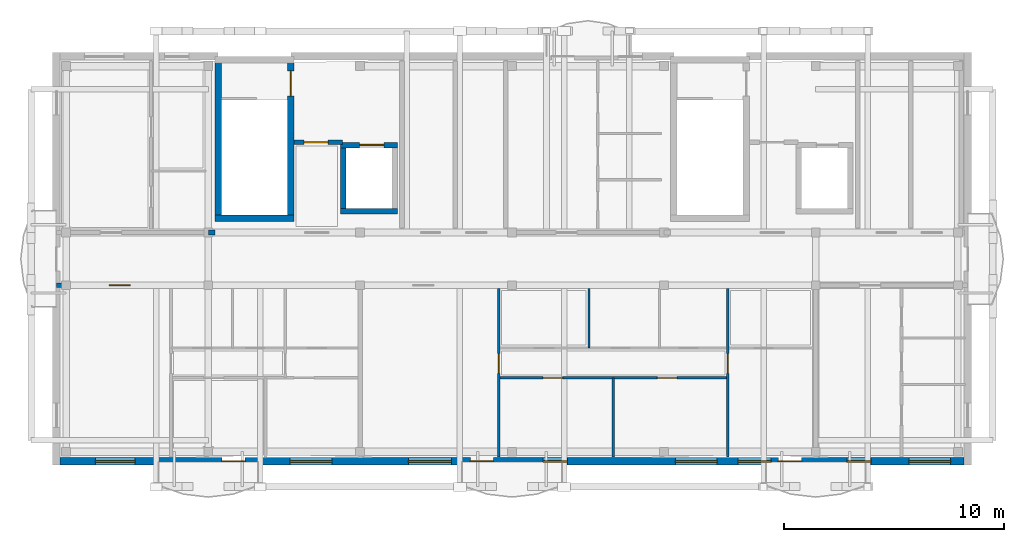
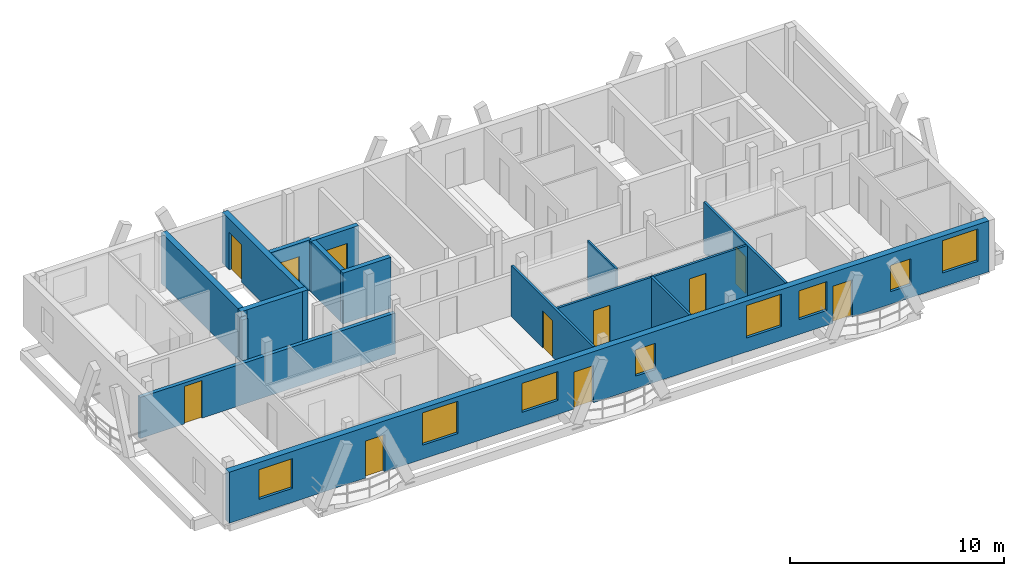
# One storey, part 3 of 7: 15 walls, 11 doors, 8 windows, 19 openings.
"""IFC4 building model written with IfcOpenShell, lengths in metres."""

from ifc_helpers import new_model, si_unit, direction, frame, frame_2d, origin, origin_with_axes, place, context, subcontext, project, spatial, rectangle, extrude, material, layer, layer_set, type_object, element, fill, save


model = new_model("IFC4")

# Units and contexts
model_context = context("Model", 3, precision=1e-05, world=origin(), true_north=direction((0.0, 1.0)))
body_context = subcontext(model_context, "Body", "Model", "MODEL_VIEW")
ifc_project = project(units=[si_unit("LENGTHUNIT", "METRE"), si_unit("AREAUNIT", "SQUARE_METRE"), si_unit("VOLUMEUNIT", "CUBIC_METRE"), si_unit("PLANEANGLEUNIT", "RADIAN"), si_unit("MASSUNIT", "GRAM", prefix="KILO")], contexts=[model_context])

# Site, building, storey
site_placement = place(None, origin())
site = spatial("IfcSite", under=ifc_project, at=site_placement, CompositionType="ELEMENT")
building_placement = place(site_placement, origin())
building = spatial("IfcBuilding", under=site, at=building_placement, Name="Zavelmont Quarter", CompositionType="ELEMENT")
storey_placement = place(building_placement, frame((0.0, 0.0, 46.39990234375)))
storey = spatial("IfcBuildingStorey", under=building, at=storey_placement, Name="L14", CompositionType="ELEMENT", Elevation=46.39990234375)

# Wall, openings, doors, windows
ifc_material_1 = material(Name="Natural Belgian limestone", Category="masonry")
ifc_layer_1 = layer(ifc_material_1, 0.340087890625)
ifc_layer_set_1 = layer_set([ifc_layer_1], Name="Natural Belgian limestone")
wall_type_1 = type_object("IfcWallType", Name="EW03", PredefinedType="STANDARD", material=ifc_layer_set_1)
wall_1_placement = place(storey_placement, frame((0.159912109375, 0.0, 0.0), z_axis=(0.0, 0.0, 1.0), x_axis=(1.0, 0.0, 0.0)))
wall_1 = element("IfcWall", 1, at=wall_1_placement, inside=storey, type_object=wall_type_1, Name="L14 exterior limestone wall EW03", PredefinedType="STANDARD", context=body_context, shape_type="SweptSolid", body=[
    extrude(rectangle(XDim=41.080078125, YDim=0.340087890625, at=frame_2d((20.5400390625, 0.0))), origin(), (0.0, 0.0, 1.0), 2.91015625),
])
opening_1_placement = place(wall_1_placement, frame((7.360107421875, 0.0, 0.0)))
opening_1 = element("IfcOpeningElement", 2, at=opening_1_placement, cuts=wall_1, Name="Opening DR04A", PredefinedType="OPENING", context=body_context, shape_type="SweptSolid", body=[
    extrude(rectangle(XDim=1.050048828125, YDim=2.1201171875, at=frame_2d((0.52490234375, 1.06005859375))), frame((0.0, 0.18212890625, 0.0), z_axis=(0.0, -1.0, 0.0), x_axis=(1.0, 0.0, 0.0)), (0.0, 0.0, 1.0), 0.364013671875),
])
opening_2_placement = place(wall_1_placement, frame((18.64697265625, 0.0, 0.0)))
opening_2 = element("IfcOpeningElement", 3, at=opening_2_placement, cuts=wall_1, Name="Opening DR04A", PredefinedType="OPENING", context=body_context, shape_type="SweptSolid", body=[
    extrude(rectangle(XDim=1.050048828125, YDim=2.1201171875, at=frame_2d((0.52490234375, 1.06005859375))), frame((0.0, 0.18212890625, 0.0), z_axis=(0.0, -1.0, 0.0), x_axis=(1.0, 0.0, 0.0)), (0.0, 0.0, 1.0), 0.364013671875),
])
opening_3_placement = place(wall_1_placement, frame((32.64697265625, 0.0, 0.0)))
opening_3 = element("IfcOpeningElement", 4, at=opening_3_placement, cuts=wall_1, Name="Opening DR04A", PredefinedType="OPENING", context=body_context, shape_type="SweptSolid", body=[
    extrude(rectangle(XDim=1.050048828125, YDim=2.1201171875, at=frame_2d((0.52490234375, 1.06005859375))), frame((0.0, 0.18212890625, 0.0), z_axis=(0.0, -1.0, 0.0), x_axis=(1.0, 0.0, 0.0)), (0.0, 0.0, 1.0), 0.364013671875),
])
opening_4_placement = place(wall_1_placement, frame((1.610107421875, 0.0, 0.800048828125)))
opening_4 = element("IfcOpeningElement", 5, at=opening_4_placement, cuts=wall_1, Name="Opening WN02", PredefinedType="OPENING", context=body_context, shape_type="SweptSolid", body=[
    extrude(rectangle(XDim=1.800048828125, YDim=1.699951171875, at=frame_2d((0.89990234375, 0.85009765625))), frame((0.0, 0.18212890625, 0.0), z_axis=(0.0, -1.0, 0.0), x_axis=(1.0, 0.0, 0.0)), (0.0, 0.0, 1.0), 0.364013671875),
])
opening_5_placement = place(wall_1_placement, frame((10.4599609375, 0.0, 0.800048828125)))
opening_5 = element("IfcOpeningElement", 6, at=opening_5_placement, cuts=wall_1, Name="Opening WN20", PredefinedType="OPENING", context=body_context, shape_type="SweptSolid", body=[
    extrude(rectangle(XDim=1.89990234375, YDim=1.85009765625, at=frame_2d((0.949951171875, 0.925048828125))), frame((0.0, 0.18212890625, 0.0), z_axis=(0.0, -1.0, 0.0), x_axis=(1.0, 0.0, 0.0)), (0.0, 0.0, 1.0), 0.364013671875),
])
opening_6_placement = place(wall_1_placement, frame((15.8349609375, 0.0, 0.800048828125)))
opening_6 = element("IfcOpeningElement", 7, at=opening_6_placement, cuts=wall_1, Name="Opening WN24", PredefinedType="OPENING", context=body_context, shape_type="SweptSolid", body=[
    extrude(rectangle(XDim=1.949951171875, YDim=1.64990234375, at=frame_2d((0.97509765625, 0.824951171875))), frame((0.0, 0.18212890625, 0.0), z_axis=(0.0, -1.0, 0.0), x_axis=(1.0, 0.0, 0.0)), (0.0, 0.0, 1.0), 0.364013671875),
])
opening_7_placement = place(wall_1_placement, frame((21.9599609375, 0.0, 0.719970703125)))
opening_7 = element("IfcOpeningElement", 8, at=opening_7_placement, cuts=wall_1, Name="Opening WN09", PredefinedType="OPENING", context=body_context, shape_type="SweptSolid", body=[
    extrude(rectangle(XDim=1.10009765625, YDim=1.5, at=frame_2d((0.550048828125, 0.75))), frame((0.0, 0.18212890625, 0.0), z_axis=(0.0, -1.0, 0.0), x_axis=(1.0, 0.0, 0.0)), (0.0, 0.0, 1.0), 0.364013671875),
])
opening_8_placement = place(wall_1_placement, frame((27.9599609375, 0.0, 0.800048828125)))
opening_8 = element("IfcOpeningElement", 9, at=opening_8_placement, cuts=wall_1, Name="Opening WN20", PredefinedType="OPENING", context=body_context, shape_type="SweptSolid", body=[
    extrude(rectangle(XDim=1.89990234375, YDim=1.85009765625, at=frame_2d((0.949951171875, 0.925048828125))), frame((0.0, 0.18212890625, 0.0), z_axis=(0.0, -1.0, 0.0), x_axis=(1.0, 0.0, 0.0)), (0.0, 0.0, 1.0), 0.364013671875),
])
opening_9_placement = place(wall_1_placement, frame((30.81005859375, 0.0, 0.85009765625)))
opening_9 = element("IfcOpeningElement", 10, at=opening_9_placement, cuts=wall_1, Name="Opening WN01", PredefinedType="OPENING", context=body_context, shape_type="SweptSolid", body=[
    extrude(rectangle(XDim=1.5, YDim=1.64990234375, at=frame_2d((0.75, 0.824951171875))), frame((0.0, 0.18212890625, 0.0), z_axis=(0.0, -1.0, 0.0), x_axis=(1.0, 0.0, 0.0)), (0.0, 0.0, 1.0), 0.364013671875),
])
opening_10_placement = place(wall_1_placement, frame((35.760009765625, 0.0, 0.719970703125)))
opening_10 = element("IfcOpeningElement", 11, at=opening_10_placement, cuts=wall_1, Name="Opening WN09", PredefinedType="OPENING", context=body_context, shape_type="SweptSolid", body=[
    extrude(rectangle(XDim=1.10009765625, YDim=1.5, at=frame_2d((0.550048828125, 0.75))), frame((0.0, 0.18212890625, 0.0), z_axis=(0.0, -1.0, 0.0), x_axis=(1.0, 0.0, 0.0)), (0.0, 0.0, 1.0), 0.364013671875),
])
opening_11_placement = place(wall_1_placement, frame((38.574951171875, 0.0, 0.800048828125)))
opening_11 = element("IfcOpeningElement", 12, at=opening_11_placement, cuts=wall_1, Name="Opening WN20", PredefinedType="OPENING", context=body_context, shape_type="SweptSolid", body=[
    extrude(rectangle(XDim=1.89990234375, YDim=1.85009765625, at=frame_2d((0.949951171875, 0.925048828125))), frame((0.0, 0.18212890625, 0.0), z_axis=(0.0, -1.0, 0.0), x_axis=(1.0, 0.0, 0.0)), (0.0, 0.0, 1.0), 0.364013671875),
])
ifc_material_2 = material(Name="Thermally broken aluminium and double safety glass", Category="aluminium")
door_type_1 = type_object("IfcDoorType", Name="DR04A", OperationType="NOTDEFINED", PredefinedType="DOOR", material=ifc_material_2)
door_1_placement = place(opening_1_placement, origin_with_axes())
door_1 = element("IfcDoor", 13, at=door_1_placement, inside=storey, type_object=door_type_1, Name="Block A L14 glazed balcony door", OperationType="SINGLE_SWING_LEFT", OverallHeight=2.1201171875, OverallWidth=1.050048828125, PredefinedType="DOOR", context=body_context, shape_type="SweptSolid", body=[
    extrude(rectangle(XDim=1.050048828125, YDim=2.1201171875, at=frame_2d((0.52490234375, 1.06005859375))), frame((0.0, 0.02490234375, 0.0), z_axis=(0.0, -1.0, 0.0), x_axis=(1.0, 0.0, 0.0)), (0.0, 0.0, 1.0), 0.050048828125),
])
fill(opening_1, door_1)
door_2_placement = place(opening_2_placement, origin_with_axes())
door_2 = element("IfcDoor", 14, at=door_2_placement, inside=storey, type_object=door_type_1, Name="Block A L14 glazed balcony door", OperationType="SINGLE_SWING_RIGHT", OverallHeight=2.1201171875, OverallWidth=1.050048828125, PredefinedType="DOOR", context=body_context, shape_type="SweptSolid", body=[
    extrude(rectangle(XDim=1.050048828125, YDim=2.1201171875, at=frame_2d((0.52490234375, 1.06005859375))), frame((0.0, 0.02490234375, 0.0), z_axis=(0.0, -1.0, 0.0), x_axis=(1.0, 0.0, 0.0)), (0.0, 0.0, 1.0), 0.050048828125),
])
fill(opening_2, door_2)
door_3_placement = place(opening_3_placement, origin_with_axes())
door_3 = element("IfcDoor", 15, at=door_3_placement, inside=storey, type_object=door_type_1, Name="Block A L14 glazed balcony door", OperationType="SINGLE_SWING_RIGHT", OverallHeight=2.1201171875, OverallWidth=1.050048828125, PredefinedType="DOOR", context=body_context, shape_type="SweptSolid", body=[
    extrude(rectangle(XDim=1.050048828125, YDim=2.1201171875, at=frame_2d((0.52490234375, 1.06005859375))), frame((0.0, 0.02490234375, 0.0), z_axis=(0.0, -1.0, 0.0), x_axis=(1.0, 0.0, 0.0)), (0.0, 0.0, 1.0), 0.050048828125),
])
fill(opening_3, door_3)
ifc_material_3 = material(Name="Double low-E insulated glazing in thermally broken aluminium frame", Category="aluminium")
window_type_1 = type_object("IfcWindowType", Name="WN01", PartitioningType="SINGLE_PANEL", PredefinedType="WINDOW", material=ifc_material_3)
window_1_placement = place(opening_9_placement, origin_with_axes())
window_1 = element("IfcWindow", 16, at=window_1_placement, inside=storey, type_object=window_type_1, Name="L14 window WN01", OverallHeight=1.64990234375, OverallWidth=1.5, PartitioningType="SINGLE_PANEL", PredefinedType="WINDOW", context=body_context, shape_type="SweptSolid", body=[
    extrude(rectangle(XDim=1.5, YDim=1.64990234375, at=frame_2d((0.75, 0.824951171875))), frame((0.0, 0.030029296875, 0.0), z_axis=(0.0, -1.0, 0.0), x_axis=(1.0, 0.0, 0.0)), (0.0, 0.0, 1.0), 0.06005859375),
])
fill(opening_9, window_1)
window_type_2 = type_object("IfcWindowType", Name="WN02", PartitioningType="SINGLE_PANEL", PredefinedType="WINDOW", material=ifc_material_3)
window_2_placement = place(opening_4_placement, origin_with_axes())
window_2 = element("IfcWindow", 17, at=window_2_placement, inside=storey, type_object=window_type_2, Name="L14 window WN02", OverallHeight=1.699951171875, OverallWidth=1.800048828125, PartitioningType="SINGLE_PANEL", PredefinedType="WINDOW", context=body_context, shape_type="SweptSolid", body=[
    extrude(rectangle(XDim=1.800048828125, YDim=1.699951171875, at=frame_2d((0.89990234375, 0.85009765625))), frame((0.0, 0.030029296875, 0.0), z_axis=(0.0, -1.0, 0.0), x_axis=(1.0, 0.0, 0.0)), (0.0, 0.0, 1.0), 0.06005859375),
])
fill(opening_4, window_2)
window_type_3 = type_object("IfcWindowType", Name="WN09", PartitioningType="SINGLE_PANEL", PredefinedType="WINDOW", material=ifc_material_3)
window_3_placement = place(opening_7_placement, origin_with_axes())
window_3 = element("IfcWindow", 18, at=window_3_placement, inside=storey, type_object=window_type_3, Name="L14 window WN09", OverallHeight=1.5, OverallWidth=1.10009765625, PartitioningType="SINGLE_PANEL", PredefinedType="WINDOW", context=body_context, shape_type="SweptSolid", body=[
    extrude(rectangle(XDim=1.10009765625, YDim=1.5, at=frame_2d((0.550048828125, 0.75))), frame((0.0, 0.030029296875, 0.0), z_axis=(0.0, -1.0, 0.0), x_axis=(1.0, 0.0, 0.0)), (0.0, 0.0, 1.0), 0.06005859375),
])
fill(opening_7, window_3)
window_4_placement = place(opening_10_placement, origin_with_axes())
window_4 = element("IfcWindow", 19, at=window_4_placement, inside=storey, type_object=window_type_3, Name="L14 window WN09", OverallHeight=1.5, OverallWidth=1.10009765625, PartitioningType="SINGLE_PANEL", PredefinedType="WINDOW", context=body_context, shape_type="SweptSolid", body=[
    extrude(rectangle(XDim=1.10009765625, YDim=1.5, at=frame_2d((0.550048828125, 0.75))), frame((0.0, 0.030029296875, 0.0), z_axis=(0.0, -1.0, 0.0), x_axis=(1.0, 0.0, 0.0)), (0.0, 0.0, 1.0), 0.06005859375),
])
fill(opening_10, window_4)
window_type_4 = type_object("IfcWindowType", Name="WN20", PartitioningType="SINGLE_PANEL", PredefinedType="WINDOW", material=ifc_material_3)
window_5_placement = place(opening_5_placement, origin_with_axes())
window_5 = element("IfcWindow", 20, at=window_5_placement, inside=storey, type_object=window_type_4, Name="L14 window WN20", OverallHeight=1.85009765625, OverallWidth=1.89990234375, PartitioningType="SINGLE_PANEL", PredefinedType="WINDOW", context=body_context, shape_type="SweptSolid", body=[
    extrude(rectangle(XDim=1.89990234375, YDim=1.85009765625, at=frame_2d((0.949951171875, 0.925048828125))), frame((0.0, 0.030029296875, 0.0), z_axis=(0.0, -1.0, 0.0), x_axis=(1.0, 0.0, 0.0)), (0.0, 0.0, 1.0), 0.06005859375),
])
fill(opening_5, window_5)
window_6_placement = place(opening_8_placement, origin_with_axes())
window_6 = element("IfcWindow", 21, at=window_6_placement, inside=storey, type_object=window_type_4, Name="L14 window WN20", OverallHeight=1.85009765625, OverallWidth=1.89990234375, PartitioningType="SINGLE_PANEL", PredefinedType="WINDOW", context=body_context, shape_type="SweptSolid", body=[
    extrude(rectangle(XDim=1.89990234375, YDim=1.85009765625, at=frame_2d((0.949951171875, 0.925048828125))), frame((0.0, 0.030029296875, 0.0), z_axis=(0.0, -1.0, 0.0), x_axis=(1.0, 0.0, 0.0)), (0.0, 0.0, 1.0), 0.06005859375),
])
fill(opening_8, window_6)
window_7_placement = place(opening_11_placement, origin_with_axes())
window_7 = element("IfcWindow", 22, at=window_7_placement, inside=storey, type_object=window_type_4, Name="L14 window WN20", OverallHeight=1.85009765625, OverallWidth=1.89990234375, PartitioningType="SINGLE_PANEL", PredefinedType="WINDOW", context=body_context, shape_type="SweptSolid", body=[
    extrude(rectangle(XDim=1.89990234375, YDim=1.85009765625, at=frame_2d((0.949951171875, 0.925048828125))), frame((0.0, 0.030029296875, 0.0), z_axis=(0.0, -1.0, 0.0), x_axis=(1.0, 0.0, 0.0)), (0.0, 0.0, 1.0), 0.06005859375),
])
fill(opening_11, window_7)
window_type_5 = type_object("IfcWindowType", Name="WN24", PartitioningType="SINGLE_PANEL", PredefinedType="WINDOW", material=ifc_material_3)
window_8_placement = place(opening_6_placement, origin_with_axes())
window_8 = element("IfcWindow", 23, at=window_8_placement, inside=storey, type_object=window_type_5, Name="L14 window WN24", OverallHeight=1.64990234375, OverallWidth=1.949951171875, PartitioningType="SINGLE_PANEL", PredefinedType="WINDOW", context=body_context, shape_type="SweptSolid", body=[
    extrude(rectangle(XDim=1.949951171875, YDim=1.64990234375, at=frame_2d((0.97509765625, 0.824951171875))), frame((0.0, 0.030029296875, 0.0), z_axis=(0.0, -1.0, 0.0), x_axis=(1.0, 0.0, 0.0)), (0.0, 0.0, 1.0), 0.06005859375),
])
fill(opening_6, window_8)

# Wall, opening, door
ifc_material_4 = material(Name="Calcium-silicate blockwork and acoustic plaster", Category="masonry")
ifc_layer_2 = layer(ifc_material_4, 0.199951171875)
ifc_layer_set_2 = layer_set([ifc_layer_2], Name="Calcium-silicate blockwork and acoustic plaster")
wall_type_2 = type_object("IfcWallType", Name="IW01", PredefinedType="PARTITIONING", material=ifc_layer_set_2)
wall_2_placement = place(storey_placement, frame((0.0, 8.0, 0.0), z_axis=(0.0, 0.0, 1.0), x_axis=(1.0, 0.0, 0.0)))
wall_2 = element("IfcWall", 24, at=wall_2_placement, inside=storey, type_object=wall_type_2, Name="L14 Corridor compartment wall IW01", PredefinedType="PARTITIONING", context=body_context, shape_type="SweptSolid", body=[
    extrude(rectangle(XDim=13.800048828125, YDim=0.199951171875, at=frame_2d((6.89990234375, 0.0))), origin(), (0.0, 0.0, 1.0), 2.35009765625),
])
opening_12_placement = place(wall_2_placement, frame((2.39990234375, 0.0, 0.0)))
opening_12 = element("IfcOpeningElement", 25, at=opening_12_placement, cuts=wall_2, Name="Opening DR02", PredefinedType="OPENING", context=body_context, shape_type="SweptSolid", body=[
    extrude(rectangle(XDim=0.949951171875, YDim=2.14990234375, at=frame_2d((0.47509765625, 1.074951171875))), frame((0.0, 0.11181640625, 0.0), z_axis=(0.0, -1.0, 0.0), x_axis=(1.0, 0.0, 0.0)), (0.0, 0.0, 1.0), 0.223876953125),
])
ifc_material_5 = material(Name="Solid-core oak fire leaf in steel frame", Category="steel")
door_type_2 = type_object("IfcDoorType", Name="DR02", OperationType="NOTDEFINED", PredefinedType="DOOR", material=ifc_material_5)
door_4_placement = place(opening_12_placement, frame((0.949951171875, 0.0, 0.0), z_axis=(0.0, 0.0, 1.0), x_axis=(-1.0, 0.0, 0.0)))
door_4 = element("IfcDoor", 26, at=door_4_placement, inside=storey, type_object=door_type_2, Name="L14 door DR02", OperationType="SINGLE_SWING_LEFT", OverallHeight=2.14990234375, OverallWidth=0.949951171875, PredefinedType="DOOR", context=body_context, shape_type="SweptSolid", body=[
    extrude(rectangle(XDim=0.949951171875, YDim=2.14990234375, at=frame_2d((0.47509765625, 1.074951171875))), frame((0.0, 0.02490234375, 0.0), z_axis=(0.0, -1.0, 0.0), x_axis=(1.0, 0.0, 0.0)), (0.0, 0.0, 1.0), 0.050048828125),
])
fill(opening_12, door_4)

ifc_material_6 = material(Name="Reinforced masonry fire compartment wall", Category="masonry")
ifc_layer_3 = layer(ifc_material_6, 0.22509765625)
ifc_layer_set_3 = layer_set([ifc_layer_3], Name="Reinforced masonry fire compartment wall")
wall_type_3 = type_object("IfcWallType", Name="IW02", PredefinedType="PARTITIONING", material=ifc_layer_set_3)
wall_3_placement = place(storey_placement, frame((10.800048828125, 14.5, 0.0), z_axis=(0.0, 0.0, 1.0), x_axis=(1.0, 0.0, 0.0)))
wall_3 = element("IfcWall", 27, at=wall_3_placement, inside=storey, type_object=wall_type_3, Name="L14 Firefighting lobby threshold wall IW02", PredefinedType="PARTITIONING", context=body_context, shape_type="SweptSolid", body=[
    extrude(rectangle(XDim=2.199951171875, YDim=0.22509765625, at=frame_2d((1.10009765625, 0.0))), origin(), (0.0, 0.0, 1.0), 2.91015625),
])
opening_13_placement = place(wall_3_placement, frame((0.449951171875, 0.0, 0.0)))
opening_13 = element("IfcOpeningElement", 28, at=opening_13_placement, cuts=wall_3, Name="Opening DR10", PredefinedType="OPENING", context=body_context, shape_type="SweptSolid", body=[
    extrude(rectangle(XDim=1.10009765625, YDim=2.14990234375, at=frame_2d((0.550048828125, 1.074951171875))), frame((0.0, 0.12451171875, 0.0), z_axis=(0.0, -1.0, 0.0), x_axis=(1.0, 0.0, 0.0)), (0.0, 0.0, 1.0), 0.2490234375),
])
ifc_material_7 = material(Name="Painted steel lobby fire door", Category="steel")
door_type_3 = type_object("IfcDoorType", Name="DR10", OperationType="NOTDEFINED", PredefinedType="DOOR", material=ifc_material_7)
door_5_placement = place(opening_13_placement, origin_with_axes())
door_5 = element("IfcDoor", 29, at=door_5_placement, inside=storey, type_object=door_type_3, Name="Firefighting lobby fire door", OperationType="SINGLE_SWING_RIGHT", OverallHeight=2.14990234375, OverallWidth=1.10009765625, PredefinedType="DOOR", context=body_context, shape_type="SweptSolid", body=[
    extrude(rectangle(XDim=1.10009765625, YDim=2.14990234375, at=frame_2d((0.550048828125, 1.074951171875))), frame((0.0, 0.02490234375, 0.0), z_axis=(0.0, -1.0, 0.0), x_axis=(1.0, 0.0, 0.0)), (0.0, 0.0, 1.0), 0.050048828125),
])
fill(opening_13, door_5)

# Wall
wall_4_placement = place(storey_placement, frame((6.89990234375, 10.39990234375, 0.0), z_axis=(0.0, 0.0, 1.0), x_axis=(1.0, 0.0, 0.0)))
element("IfcWall", 30, at=wall_4_placement, inside=storey, type_object=wall_type_3, Name="L14 Core corridor wall IW02", PredefinedType="PARTITIONING", context=body_context, shape_type="SweptSolid", body=[
    extrude(rectangle(XDim=0.300048828125, YDim=0.22509765625, at=frame_2d((0.14990234375, 0.0))), origin(), (0.0, 0.0, 1.0), 2.91015625),
])

# Wall, opening, door
ifc_material_8 = material(Name="Double gypsum board on acoustic steel stud", Category="steel")
ifc_layer_4 = layer(ifc_material_8, 0.125)
ifc_layer_set_4 = layer_set([ifc_layer_4], Name="Double gypsum board on acoustic steel stud")
wall_type_4 = type_object("IfcWallType", Name="IW03", PredefinedType="PARTITIONING", material=ifc_layer_set_4)
wall_5_placement = place(storey_placement, frame((20.10009765625, 7.85009765625, 0.0), z_axis=(0.0, 0.0, 1.0), x_axis=(0.0, -1.0, 0.0)))
wall_5 = element("IfcWall", 31, at=wall_5_placement, inside=storey, type_object=wall_type_4, Name="L14 Partition IW03", PredefinedType="PARTITIONING", context=body_context, shape_type="SweptSolid", body=[
    extrude(rectangle(XDim=7.650146484375, YDim=0.125, at=frame_2d((3.8251953125, 0.0))), origin(), (0.0, 0.0, 1.0), 2.91015625),
])
opening_14_placement = place(wall_5_placement, frame((2.949951171875, 0.0, 0.0)))
opening_14 = element("IfcOpeningElement", 32, at=opening_14_placement, cuts=wall_5, Name="Opening DR05", PredefinedType="OPENING", context=body_context, shape_type="SweptSolid", body=[
    extrude(rectangle(XDim=0.89990234375, YDim=2.10009765625, at=frame_2d((0.449951171875, 1.050048828125))), frame((0.0, 0.074462890625, 0.0), z_axis=(0.0, -1.0, 0.0), x_axis=(1.0, 0.0, 0.0)), (0.0, 0.0, 1.0), 0.14892578125),
])
ifc_material_9 = material(Name="Engineered oak flush interior door")
door_type_4 = type_object("IfcDoorType", Name="DR05", OperationType="NOTDEFINED", PredefinedType="DOOR", material=ifc_material_9)
door_6_placement = place(opening_14_placement, frame((0.89990234375, 0.0, 0.0), z_axis=(0.0, 0.0, 1.0), x_axis=(-1.0, 0.0, 0.0)))
door_6 = element("IfcDoor", 33, at=door_6_placement, inside=storey, type_object=door_type_4, Name="L14 door DR05", OperationType="SINGLE_SWING_RIGHT", OverallHeight=2.10009765625, OverallWidth=0.89990234375, PredefinedType="DOOR", context=body_context, shape_type="SweptSolid", body=[
    extrude(rectangle(XDim=0.89990234375, YDim=2.10009765625, at=frame_2d((0.449951171875, 1.050048828125))), frame((0.0, 0.02490234375, 0.0), z_axis=(0.0, -1.0, 0.0), x_axis=(1.0, 0.0, 0.0)), (0.0, 0.0, 1.0), 0.050048828125),
])
fill(opening_14, door_6)

# Wall
wall_6_placement = place(storey_placement, frame((25.300048828125, 3.800048828125, 0.0), z_axis=(0.0, 0.0, 1.0), x_axis=(0.0, -1.0, 0.0)))
element("IfcWall", 34, at=wall_6_placement, inside=storey, type_object=wall_type_4, Name="L14 Partition IW03", PredefinedType="PARTITIONING", context=body_context, shape_type="SweptSolid", body=[
    extrude(rectangle(XDim=3.60009765625, YDim=0.125, at=frame_2d((1.800048828125, 0.0))), origin(), (0.0, 0.0, 1.0), 2.91015625),
])

# Wall, opening, door
wall_7_placement = place(storey_placement, frame((30.5, 7.85009765625, 0.0), z_axis=(0.0, 0.0, 1.0), x_axis=(0.0, -1.0, 0.0)))
wall_7 = element("IfcWall", 35, at=wall_7_placement, inside=storey, type_object=wall_type_4, Name="L14 Partition IW03", PredefinedType="PARTITIONING", context=body_context, shape_type="SweptSolid", body=[
    extrude(rectangle(XDim=7.650146484375, YDim=0.125, at=frame_2d((3.8251953125, 0.0))), origin(), (0.0, 0.0, 1.0), 2.91015625),
])
opening_15_placement = place(wall_7_placement, frame((2.949951171875, 0.0, 0.0)))
opening_15 = element("IfcOpeningElement", 36, at=opening_15_placement, cuts=wall_7, Name="Opening DR05", PredefinedType="OPENING", context=body_context, shape_type="SweptSolid", body=[
    extrude(rectangle(XDim=0.89990234375, YDim=2.10009765625, at=frame_2d((0.449951171875, 1.050048828125))), frame((0.0, 0.074462890625, 0.0), z_axis=(0.0, -1.0, 0.0), x_axis=(1.0, 0.0, 0.0)), (0.0, 0.0, 1.0), 0.14892578125),
])
door_7_placement = place(opening_15_placement, origin_with_axes())
door_7 = element("IfcDoor", 37, at=door_7_placement, inside=storey, type_object=door_type_4, Name="L14 door DR05", OperationType="SINGLE_SWING_LEFT", OverallHeight=2.10009765625, OverallWidth=0.89990234375, PredefinedType="DOOR", context=body_context, shape_type="SweptSolid", body=[
    extrude(rectangle(XDim=0.89990234375, YDim=2.10009765625, at=frame_2d((0.449951171875, 1.050048828125))), frame((0.0, 0.02490234375, 0.0), z_axis=(0.0, -1.0, 0.0), x_axis=(1.0, 0.0, 0.0)), (0.0, 0.0, 1.0), 0.050048828125),
])
fill(opening_15, door_7)

# Wall, openings, doors
wall_8_placement = place(storey_placement, frame((20.10009765625, 3.800048828125, 0.0), z_axis=(0.0, 0.0, 1.0), x_axis=(1.0, 0.0, 0.0)))
wall_8 = element("IfcWall", 38, at=wall_8_placement, inside=storey, type_object=wall_type_4, Name="L14 Partition IW03", PredefinedType="PARTITIONING", context=body_context, shape_type="SweptSolid", body=[
    extrude(rectangle(XDim=10.39990234375, YDim=0.125, at=frame_2d((5.199951171875, 0.0))), origin(), (0.0, 0.0, 1.0), 2.91015625),
])
opening_16_placement = place(wall_8_placement, frame((2.0, 0.0, 0.0)))
opening_16 = element("IfcOpeningElement", 39, at=opening_16_placement, cuts=wall_8, Name="Opening DR05", PredefinedType="OPENING", context=body_context, shape_type="SweptSolid", body=[
    extrude(rectangle(XDim=0.89990234375, YDim=2.10009765625, at=frame_2d((0.449951171875, 1.050048828125))), frame((0.0, 0.074462890625, 0.0), z_axis=(0.0, -1.0, 0.0), x_axis=(1.0, 0.0, 0.0)), (0.0, 0.0, 1.0), 0.14892578125),
])
opening_17_placement = place(wall_8_placement, frame((7.199951171875, 0.0, 0.0)))
opening_17 = element("IfcOpeningElement", 40, at=opening_17_placement, cuts=wall_8, Name="Opening DR05", PredefinedType="OPENING", context=body_context, shape_type="SweptSolid", body=[
    extrude(rectangle(XDim=0.89990234375, YDim=2.10009765625, at=frame_2d((0.449951171875, 1.050048828125))), frame((0.0, 0.074462890625, 0.0), z_axis=(0.0, -1.0, 0.0), x_axis=(1.0, 0.0, 0.0)), (0.0, 0.0, 1.0), 0.14892578125),
])
door_8_placement = place(opening_16_placement, frame((0.89990234375, 0.0, 0.0), z_axis=(0.0, 0.0, 1.0), x_axis=(-1.0, 0.0, 0.0)))
door_8 = element("IfcDoor", 41, at=door_8_placement, inside=storey, type_object=door_type_4, Name="L14 door DR05", OperationType="SINGLE_SWING_RIGHT", OverallHeight=2.10009765625, OverallWidth=0.89990234375, PredefinedType="DOOR", context=body_context, shape_type="SweptSolid", body=[
    extrude(rectangle(XDim=0.89990234375, YDim=2.10009765625, at=frame_2d((0.449951171875, 1.050048828125))), frame((0.0, 0.02490234375, 0.0), z_axis=(0.0, -1.0, 0.0), x_axis=(1.0, 0.0, 0.0)), (0.0, 0.0, 1.0), 0.050048828125),
])
fill(opening_16, door_8)
door_9_placement = place(opening_17_placement, origin_with_axes())
door_9 = element("IfcDoor", 42, at=door_9_placement, inside=storey, type_object=door_type_4, Name="L14 door DR05", OperationType="SINGLE_SWING_LEFT", OverallHeight=2.10009765625, OverallWidth=0.89990234375, PredefinedType="DOOR", context=body_context, shape_type="SweptSolid", body=[
    extrude(rectangle(XDim=0.89990234375, YDim=2.10009765625, at=frame_2d((0.449951171875, 1.050048828125))), frame((0.0, 0.02490234375, 0.0), z_axis=(0.0, -1.0, 0.0), x_axis=(1.0, 0.0, 0.0)), (0.0, 0.0, 1.0), 0.050048828125),
])
fill(opening_17, door_9)

# Walls
ifc_material_10 = material(Name="Moisture-resistant gypsum board on steel stud", Category="steel")
ifc_layer_5 = layer(ifc_material_10, 0.10009765625)
ifc_layer_set_5 = layer_set([ifc_layer_5], Name="Moisture-resistant gypsum board on steel stud")
wall_type_5 = type_object("IfcWallType", Name="IW04", PredefinedType="PARTITIONING", material=ifc_layer_set_5)
wall_9_placement = place(storey_placement, frame((24.199951171875, 7.85009765625, 0.0), z_axis=(0.0, 0.0, 1.0), x_axis=(0.0, -1.0, 0.0)))
element("IfcWall", 43, at=wall_9_placement, inside=storey, type_object=wall_type_5, Name="L14 Partition IW04", PredefinedType="PARTITIONING", context=body_context, shape_type="SweptSolid", body=[
    extrude(rectangle(XDim=2.7001953125, YDim=0.10009765625, at=frame_2d((1.35009765625, 0.0))), origin(), (0.0, 0.0, 1.0), 2.91015625),
])
ifc_material_11 = material(Name="Concrete C40/50", Category="concrete")
ifc_layer_6 = layer(ifc_material_11, 0.300048828125)
ifc_layer_set_6 = layer_set([ifc_layer_6], Name="Concrete C40/50")
wall_type_6 = type_object("IfcWallType", Name="SW01", PredefinedType="SHEAR", material=ifc_layer_set_6)
wall_10_placement = place(storey_placement, frame((7.199951171875, 11.050048828125, 0.0), z_axis=(0.0, 0.0, 1.0), x_axis=(1.0, 0.0, 0.0)))
element("IfcWall", 44, at=wall_10_placement, inside=storey, type_object=wall_type_6, Name="L14 ST01 corridor shear wall SW01", PredefinedType="SHEAR", context=body_context, shape_type="SweptSolid", body=[
    extrude(rectangle(XDim=3.60009765625, YDim=0.300048828125, at=frame_2d((1.800048828125, 0.0))), origin(), (0.0, 0.0, 1.0), 2.91015625),
])
wall_11_placement = place(storey_placement, frame((7.35009765625, 10.89990234375, 0.0), z_axis=(0.0, 0.0, 1.0), x_axis=(0.0, 1.0, 0.0)))
element("IfcWall", 45, at=wall_11_placement, inside=storey, type_object=wall_type_6, Name="L14 ST01 west shear wall SW01", PredefinedType="SHEAR", context=body_context, shape_type="SweptSolid", body=[
    extrude(rectangle(XDim=7.5, YDim=0.300048828125, at=frame_2d((3.75, 0.0))), origin(), (0.0, 0.0, 1.0), 2.91015625),
])

# Wall, opening, door
wall_12_placement = place(storey_placement, frame((10.64990234375, 10.89990234375, 0.0), z_axis=(0.0, 0.0, 1.0), x_axis=(0.0, 1.0, 0.0)))
wall_12 = element("IfcWall", 46, at=wall_12_placement, inside=storey, type_object=wall_type_6, Name="L14 ST01 lobby shear wall SW01", PredefinedType="SHEAR", context=body_context, shape_type="SweptSolid", body=[
    extrude(rectangle(XDim=7.5, YDim=0.300048828125, at=frame_2d((3.75, 0.0))), origin(), (0.0, 0.0, 1.0), 2.91015625),
])
opening_18_placement = place(wall_12_placement, frame((5.699951171875, 0.0, 0.0)))
opening_18 = element("IfcOpeningElement", 47, at=opening_18_placement, cuts=wall_12, Name="Opening DR09", PredefinedType="OPENING", context=body_context, shape_type="SweptSolid", body=[
    extrude(rectangle(XDim=1.14990234375, YDim=2.14990234375, at=frame_2d((0.574951171875, 1.074951171875))), frame((0.0, 0.162109375, 0.0), z_axis=(0.0, -1.0, 0.0), x_axis=(1.0, 0.0, 0.0)), (0.0, 0.0, 1.0), 0.323974609375),
])
ifc_material_12 = material(Name="Painted steel stair-core fire door", Category="steel")
door_type_5 = type_object("IfcDoorType", Name="DR09", OperationType="NOTDEFINED", PredefinedType="DOOR", material=ifc_material_12)
door_10_placement = place(opening_18_placement, origin_with_axes())
door_10 = element("IfcDoor", 48, at=door_10_placement, inside=storey, type_object=door_type_5, Name="ST01 protected stair door", OperationType="SINGLE_SWING_LEFT", OverallHeight=2.14990234375, OverallWidth=1.14990234375, PredefinedType="DOOR", context=body_context, shape_type="SweptSolid", body=[
    extrude(rectangle(XDim=1.14990234375, YDim=2.14990234375, at=frame_2d((0.574951171875, 1.074951171875))), frame((0.0, 0.02490234375, 0.0), z_axis=(0.0, -1.0, 0.0), x_axis=(1.0, 0.0, 0.0)), (0.0, 0.0, 1.0), 0.050048828125),
])
fill(opening_18, door_10)

ifc_layer_7 = layer(ifc_material_11, 0.25)
ifc_layer_set_7 = layer_set([ifc_layer_7], Name="Concrete C40/50")
wall_type_7 = type_object("IfcWallType", Name="SW02", PredefinedType="SHEAR", material=ifc_layer_set_7)
wall_13_placement = place(storey_placement, frame((12.89990234375, 14.375, 0.0), z_axis=(0.0, 0.0, 1.0), x_axis=(1.0, 0.0, 0.0)))
wall_13 = element("IfcWall", 49, at=wall_13_placement, inside=storey, type_object=wall_type_7, Name="L14 Lift FL01 landing shaft wall SW02", PredefinedType="SHEAR", context=body_context, shape_type="SweptSolid", body=[
    extrude(rectangle(XDim=2.60009765625, YDim=0.25, at=frame_2d((1.300048828125, 0.0))), origin(), (0.0, 0.0, 1.0), 2.91015625),
])
opening_19_placement = place(wall_13_placement, frame((0.875, 0.0, 0.0)))
opening_19 = element("IfcOpeningElement", 50, at=opening_19_placement, cuts=wall_13, Name="Opening LD02", PredefinedType="OPENING", context=body_context, shape_type="SweptSolid", body=[
    extrude(rectangle(XDim=1.10009765625, YDim=2.10009765625, at=frame_2d((0.550048828125, 1.050048828125))), frame((0.0, 0.136962890625, 0.0), z_axis=(0.0, -1.0, 0.0), x_axis=(1.0, 0.0, 0.0)), (0.0, 0.0, 1.0), 0.27392578125),
])
ifc_material_13 = material(Name="Brushed stainless-steel firefighting lift landing door", Category="steel")
door_type_6 = type_object("IfcDoorType", Name="LD02", OperationType="SLIDING_TO_LEFT", PredefinedType="DOOR", material=ifc_material_13)
door_11_placement = place(opening_19_placement, origin_with_axes())
door_11 = element("IfcDoor", 51, at=door_11_placement, inside=storey, type_object=door_type_6, Name="Lift FL01 sliding landing door", OperationType="SLIDING_TO_LEFT", OverallHeight=2.10009765625, OverallWidth=1.10009765625, PredefinedType="DOOR", context=body_context, shape_type="SweptSolid", body=[
    extrude(rectangle(XDim=1.10009765625, YDim=2.10009765625, at=frame_2d((0.550048828125, 1.050048828125))), frame((0.0, 0.02490234375, 0.0), z_axis=(0.0, -1.0, 0.0), x_axis=(1.0, 0.0, 0.0)), (0.0, 0.0, 1.0), 0.050048828125),
])
fill(opening_19, door_11)

# Walls
wall_14_placement = place(storey_placement, frame((12.89990234375, 11.375, 0.0), z_axis=(0.0, 0.0, 1.0), x_axis=(1.0, 0.0, 0.0)))
element("IfcWall", 52, at=wall_14_placement, inside=storey, type_object=wall_type_7, Name="L14 Lift FL01 back shaft wall SW02", PredefinedType="SHEAR", context=body_context, shape_type="SweptSolid", body=[
    extrude(rectangle(XDim=2.60009765625, YDim=0.25, at=frame_2d((1.300048828125, 0.0))), origin(), (0.0, 0.0, 1.0), 2.91015625),
])
wall_15_placement = place(storey_placement, frame((13.02490234375, 11.25, 0.0), z_axis=(0.0, 0.0, 1.0), x_axis=(0.0, 1.0, 0.0)))
element("IfcWall", 53, at=wall_15_placement, inside=storey, type_object=wall_type_7, Name="L14 Lift FL01 west shaft wall SW02", PredefinedType="SHEAR", context=body_context, shape_type="SweptSolid", body=[
    extrude(rectangle(XDim=3.25, YDim=0.25, at=frame_2d((1.625, 0.0))), origin(), (0.0, 0.0, 1.0), 2.91015625),
])

save(model, "model.ifc")
